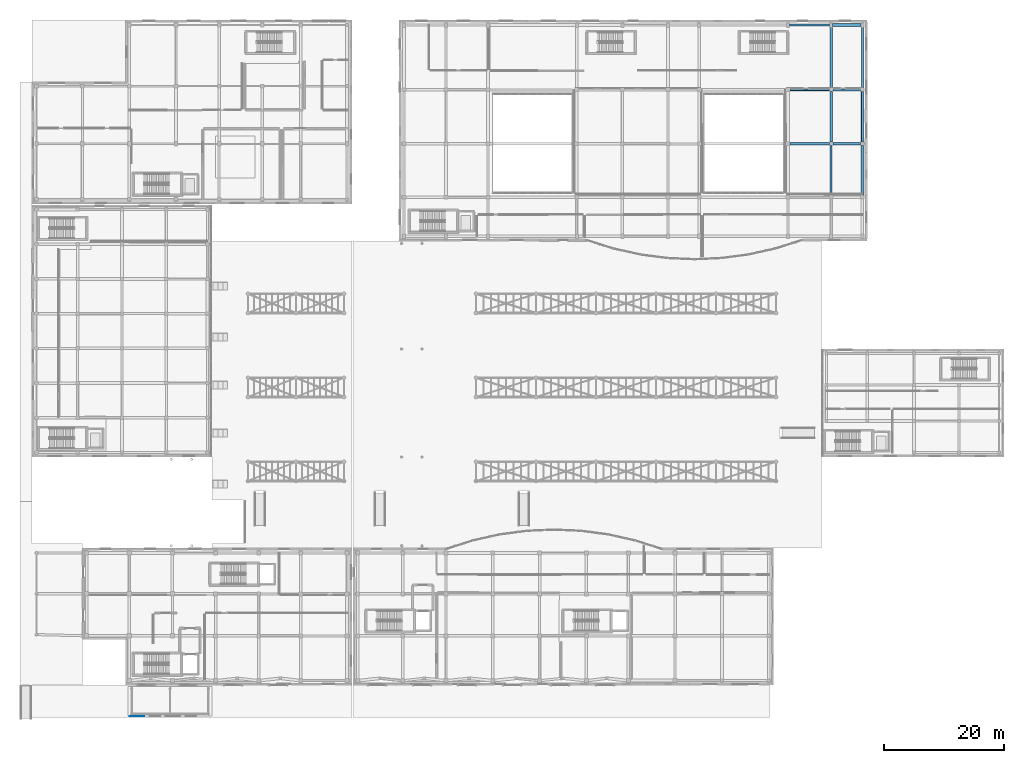
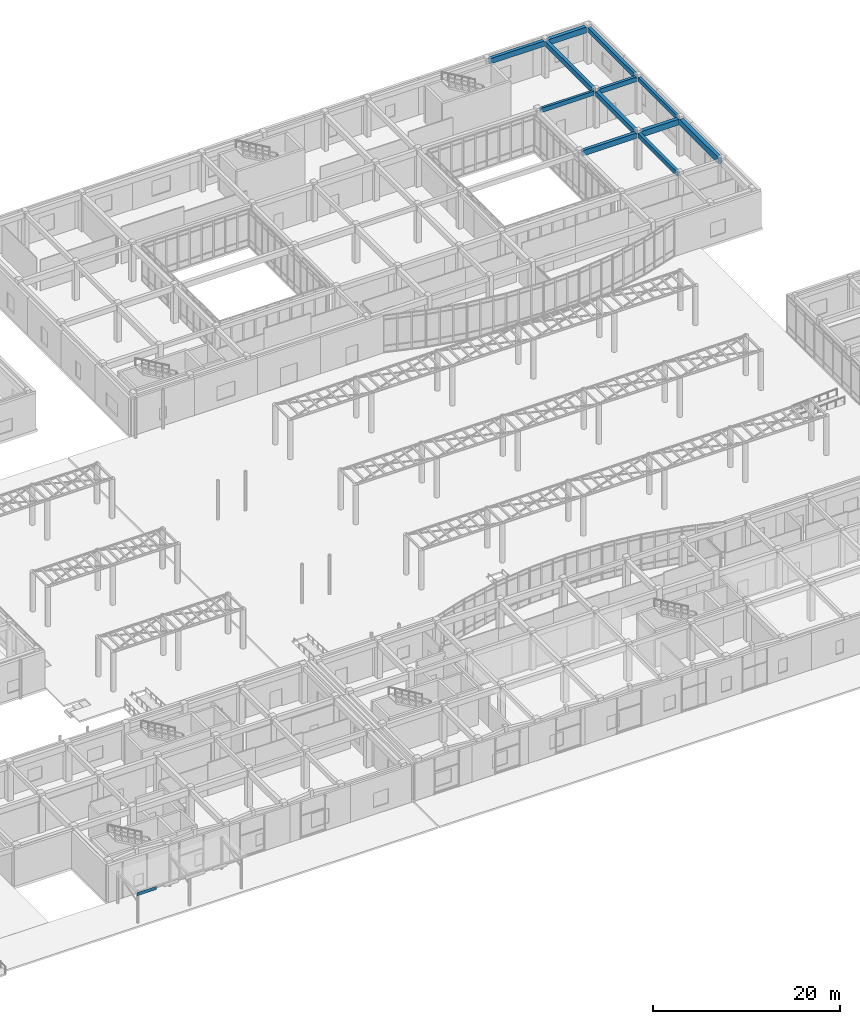
# One storey, part 78 of 121: 12 beams, 1 plate.
"""IFC4 building model written with IfcOpenShell, lengths in metres."""

from ifc_helpers import new_model, si_unit, direction, frame, origin, origin_2d, place, context, subcontext, project, spatial, rectangle, extrude, material, layer, layer_set, material_profile, profile_set, type_object, element, save


model = new_model("IFC4")

# Units and contexts
model_context = context("Model", 3, precision=1e-05, world=origin(), true_north=direction((0.0, 1.0)))
body_context = subcontext(model_context, "Body", "Model", "MODEL_VIEW")
ifc_project = project(units=[si_unit("LENGTHUNIT", "METRE"), si_unit("AREAUNIT", "SQUARE_METRE"), si_unit("VOLUMEUNIT", "CUBIC_METRE"), si_unit("PLANEANGLEUNIT", "RADIAN"), si_unit("MASSUNIT", "GRAM", prefix="KILO")], contexts=[model_context])

# Site, building, storey
site_placement = place(None, origin())
site = spatial("IfcSite", under=ifc_project, at=site_placement, CompositionType="ELEMENT")
building_placement = place(site_placement, origin())
building = spatial("IfcBuilding", under=site, at=building_placement, Name="Valcora Specialist Clinic", CompositionType="ELEMENT")
storey_placement = place(building_placement, origin())
storey = spatial("IfcBuildingStorey", under=building, at=storey_placement, Name="L00", CompositionType="ELEMENT", Elevation=0.0)

# Beams
ifc_material_1 = material(Name="Concrete C40/50", Category="concrete")
ifc_material_profile_1 = material_profile(ifc_material_1, rectangle(XDim=0.300048828125, YDim=0.550048828125, at=origin_2d()), Name="RC-BM-300X550")
ifc_profile_set_1 = profile_set([ifc_material_profile_1], Name="Concrete C40/50")
beam_type_1 = type_object("IfcBeamType", Name="TY-BM-RC300X550", PredefinedType="BEAM", material=ifc_profile_set_1)
beam_1_placement = place(storey_placement, frame((126.300048828125, 99.199951171875, 4.534912109375), z_axis=(1.0, 0.0, 0.0), x_axis=(0.0, 1.0, 0.0)))
element("IfcBeam", 1, at=beam_1_placement, inside=storey, type_object=beam_type_1, Name="Beam BM-L00-0565", PredefinedType="BEAM", context=body_context, shape_type="SweptSolid", body=[
    extrude(rectangle(XDim=0.300048828125, YDim=0.550048828125, at=origin_2d()), origin(), (0.0, 0.0, 1.0), 6.599853515625),
])
beam_2_placement = place(storey_placement, frame((138.39990234375, 90.5, 4.534912109375), z_axis=(0.0, 1.0, 0.0), x_axis=(-1.0, 0.0, 0.0)))
element("IfcBeam", 2, at=beam_2_placement, inside=storey, type_object=beam_type_1, Name="Beam BM-L00-0611", PredefinedType="BEAM", context=body_context, shape_type="SweptSolid", body=[
    extrude(rectangle(XDim=0.300048828125, YDim=0.550048828125, at=origin_2d()), origin(), (0.0, 0.0, 1.0), 8.39990234375),
])
ifc_material_profile_2 = material_profile(ifc_material_1, rectangle(XDim=0.35009765625, YDim=0.60009765625, at=origin_2d()), Name="RC-BM-350X600")
ifc_profile_set_2 = profile_set([ifc_material_profile_2], Name="Concrete C40/50")
beam_type_2 = type_object("IfcBeamType", Name="TY-BM-RC350X600", PredefinedType="BEAM", material=ifc_profile_set_2)
beam_3_placement = place(storey_placement, frame((133.5, 99.199951171875, 4.510009765625), z_axis=(1.0, 0.0, 0.0), x_axis=(0.0, 1.0, 0.0)))
element("IfcBeam", 3, at=beam_3_placement, inside=storey, type_object=beam_type_2, Name="Beam BM-L00-0566", PredefinedType="BEAM", context=body_context, shape_type="SweptSolid", body=[
    extrude(rectangle(XDim=0.35009765625, YDim=0.60009765625, at=origin_2d()), origin(), (0.0, 0.0, 1.0), 4.60009765625),
])
beam_4_placement = place(storey_placement, frame((133.199951171875, 81.60009765625, 4.510009765625), z_axis=(0.0, 1.0, 0.0), x_axis=(-1.0, 0.0, 0.0)))
element("IfcBeam", 4, at=beam_4_placement, inside=storey, type_object=beam_type_2, Name="Beam BM-L00-0606", PredefinedType="BEAM", context=body_context, shape_type="SweptSolid", body=[
    extrude(rectangle(XDim=0.35009765625, YDim=0.60009765625, at=origin_2d()), origin(), (0.0, 0.0, 1.0), 8.2998046875),
])
beam_5_placement = place(storey_placement, frame((138.39990234375, 99.5, 4.510009765625), z_axis=(0.0, 1.0, 0.0), x_axis=(-1.0, 0.0, 0.0)))
element("IfcBeam", 5, at=beam_5_placement, inside=storey, type_object=beam_type_2, Name="Beam BM-L00-0612", PredefinedType="BEAM", context=body_context, shape_type="SweptSolid", body=[
    extrude(rectangle(XDim=0.35009765625, YDim=0.60009765625, at=origin_2d()), origin(), (0.0, 0.0, 1.0), 10.25),
])
ifc_material_profile_3 = material_profile(ifc_material_1, rectangle(XDim=0.39990234375, YDim=0.64990234375, at=origin_2d()), Name="RC-BM-400X650")
ifc_profile_set_3 = profile_set([ifc_material_profile_3], Name="Concrete C40/50")
beam_type_3 = type_object("IfcBeamType", Name="TY-BM-RC400X650", PredefinedType="BEAM", material=ifc_profile_set_3)
beam_6_placement = place(storey_placement, frame((133.199951171875, 90.5, 4.485107421875), z_axis=(0.0, 1.0, 0.0), x_axis=(-1.0, 0.0, 0.0)))
element("IfcBeam", 6, at=beam_6_placement, inside=storey, type_object=beam_type_3, Name="Beam BM-L00-0607", PredefinedType="BEAM", context=body_context, shape_type="SweptSolid", body=[
    extrude(rectangle(XDim=0.39990234375, YDim=0.64990234375, at=origin_2d()), origin(), (0.0, 0.0, 1.0), 8.39990234375),
])
ifc_material_profile_4 = material_profile(ifc_material_1, rectangle(XDim=0.39990234375, YDim=0.699951171875, at=origin_2d()), Name="RC-BM-400X700")
ifc_profile_set_4 = profile_set([ifc_material_profile_4], Name="Concrete C40/50")
beam_type_4 = type_object("IfcBeamType", Name="TY-BM-RC400X700", PredefinedType="BEAM", material=ifc_profile_set_4)
beam_7_placement = place(storey_placement, frame((126.300048828125, 90.199951171875, 4.4599609375), z_axis=(1.0, 0.0, 0.0), x_axis=(0.0, 1.0, 0.0)))
element("IfcBeam", 7, at=beam_7_placement, inside=storey, type_object=beam_type_4, Name="Beam BM-L00-0556", PredefinedType="BEAM", context=body_context, shape_type="SweptSolid", body=[
    extrude(rectangle(XDim=0.39990234375, YDim=0.699951171875, at=origin_2d()), origin(), (0.0, 0.0, 1.0), 6.599853515625),
])
beam_8_placement = place(storey_placement, frame((126.25, 110.0, 4.4599609375), z_axis=(1.0, 0.0, 0.0), x_axis=(0.0, 1.0, 0.0)))
element("IfcBeam", 8, at=beam_8_placement, inside=storey, type_object=beam_type_4, Name="Beam BM-L00-0574", PredefinedType="BEAM", context=body_context, shape_type="SweptSolid", body=[
    extrude(rectangle(XDim=0.39990234375, YDim=0.699951171875, at=origin_2d()), origin(), (0.0, 0.0, 1.0), 6.699951171875),
])
beam_9_placement = place(storey_placement, frame((133.199951171875, 99.5, 4.4599609375), z_axis=(0.0, 1.0, 0.0), x_axis=(-1.0, 0.0, 0.0)))
element("IfcBeam", 9, at=beam_9_placement, inside=storey, type_object=beam_type_4, Name="Beam BM-L00-0608", PredefinedType="BEAM", context=body_context, shape_type="SweptSolid", body=[
    extrude(rectangle(XDim=0.39990234375, YDim=0.699951171875, at=origin_2d()), origin(), (0.0, 0.0, 1.0), 10.25),
])
ifc_material_profile_5 = material_profile(ifc_material_1, rectangle(XDim=0.449951171875, YDim=0.75, at=origin_2d()), Name="RC-BM-450X750")
ifc_profile_set_5 = profile_set([ifc_material_profile_5], Name="Concrete C40/50")
beam_type_5 = type_object("IfcBeamType", Name="TY-BM-RC450X750", PredefinedType="BEAM", material=ifc_profile_set_5)
beam_10_placement = place(storey_placement, frame((133.5, 90.199951171875, 4.43505859375), z_axis=(1.0, 0.0, 0.0), x_axis=(0.0, 1.0, 0.0)))
element("IfcBeam", 10, at=beam_10_placement, inside=storey, type_object=beam_type_5, Name="Beam BM-L00-0557", PredefinedType="BEAM", context=body_context, shape_type="SweptSolid", body=[
    extrude(rectangle(XDim=0.449951171875, YDim=0.75, at=origin_2d()), origin(), (0.0, 0.0, 1.0), 4.60009765625),
])
beam_11_placement = place(storey_placement, frame((133.449951171875, 110.0, 4.43505859375), z_axis=(1.0, 0.0, 0.0), x_axis=(0.0, 1.0, 0.0)))
element("IfcBeam", 11, at=beam_11_placement, inside=storey, type_object=beam_type_5, Name="Beam BM-L00-0575", PredefinedType="BEAM", context=body_context, shape_type="SweptSolid", body=[
    extrude(rectangle(XDim=0.449951171875, YDim=0.75, at=origin_2d()), origin(), (0.0, 0.0, 1.0), 4.699951171875),
])
ifc_material_profile_6 = material_profile(ifc_material_1, rectangle(XDim=0.449951171875, YDim=0.800048828125, at=origin_2d()), Name="RC-BM-450X800")
ifc_profile_set_6 = profile_set([ifc_material_profile_6], Name="Concrete C40/50")
beam_type_6 = type_object("IfcBeamType", Name="TY-BM-RC450X800", PredefinedType="BEAM", material=ifc_profile_set_6)
beam_12_placement = place(storey_placement, frame((138.39990234375, 81.60009765625, 4.409912109375), z_axis=(0.0, 1.0, 0.0), x_axis=(-1.0, 0.0, 0.0)))
element("IfcBeam", 12, at=beam_12_placement, inside=storey, type_object=beam_type_6, Name="Beam BM-L00-0610", PredefinedType="BEAM", context=body_context, shape_type="SweptSolid", body=[
    extrude(rectangle(XDim=0.449951171875, YDim=0.800048828125, at=origin_2d()), origin(), (0.0, 0.0, 1.0), 8.2998046875),
])

# Plate
ifc_material_2 = material(Name="Steel ASTM A572 Grade 50", Category="steel")
ifc_layer = layer(ifc_material_2, 0.011962890625)
ifc_layer_set = layer_set([ifc_layer], Name="Steel ASTM A572 Grade 50")
plate_type = type_object("IfcPlateType", Name="TY-PL-FSC1", PredefinedType="USERDEFINED", material=ifc_layer_set)
plate_placement = place(storey_placement, frame((17.5, -5.199951171875, 3.840087890625), z_axis=(0.0, 0.0, 1.0), x_axis=(1.0, 0.0, 0.0)))
element("IfcPlate", 13, at=plate_placement, inside=storey, type_object=plate_type, Name="Canopy fascia plate 1", ObjectType="COVER_PLATE", PredefinedType="USERDEFINED", context=body_context, shape_type="SweptSolid", body=[
    extrude(rectangle(XDim=2.39990234375, YDim=0.011962890625, at=origin_2d()), origin(), (0.0, 0.0, 1.0), 0.419921875),
])

save(model, "model.ifc")
